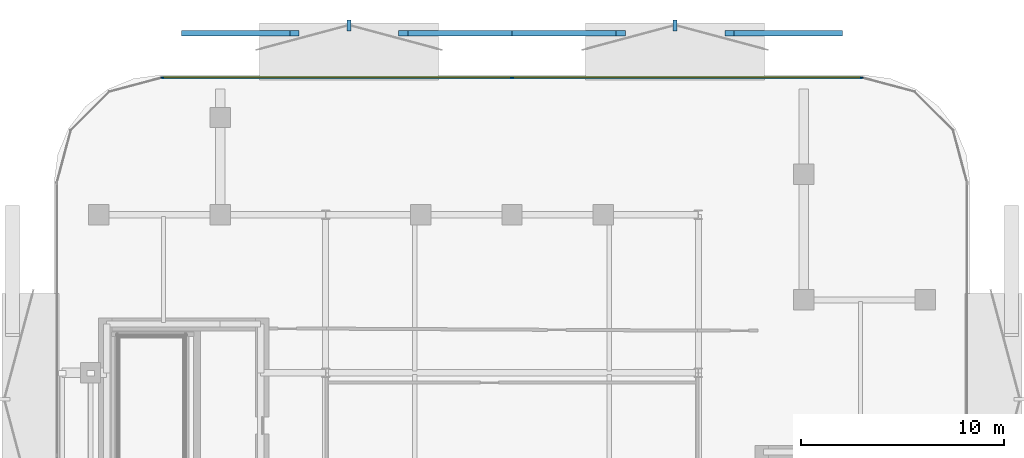
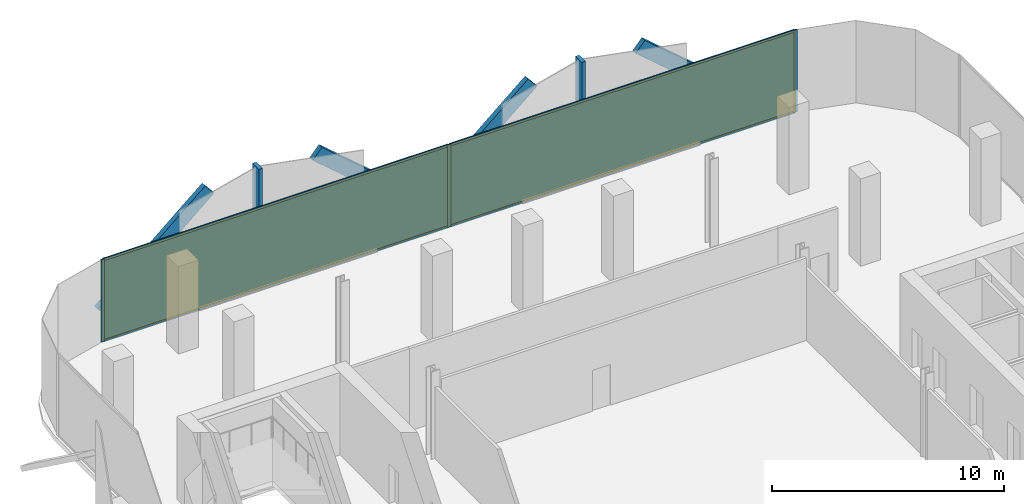
# One storey, part 9 of 14: 13 members, 2 plates, 1 curtain wall.
"""IFC4 building model written with IfcOpenShell, lengths in metres."""

from ifc_helpers import new_model, si_unit, direction, frame, frame_2d, origin, origin_2d, place, context, subcontext, project, spatial, rectangle, extrude, material, layer, layer_set, material_profile, profile_set, type_object, element, aggregate, save


model = new_model("IFC4")

# Units and contexts
model_context = context("Model", 3, precision=1e-05, world=origin(), true_north=direction((0.0, 1.0)))
body_context = subcontext(model_context, "Body", "Model", "MODEL_VIEW")
ifc_project = project(units=[si_unit("LENGTHUNIT", "METRE"), si_unit("AREAUNIT", "SQUARE_METRE"), si_unit("VOLUMEUNIT", "CUBIC_METRE"), si_unit("PLANEANGLEUNIT", "RADIAN"), si_unit("MASSUNIT", "GRAM", prefix="KILO")], contexts=[model_context])

# Member
ifc_material_1 = material(Name="Anodised Bronze Aluminium 6063-T6", Category="aluminium")
ifc_material_profile_1 = material_profile(ifc_material_1, rectangle(XDim=0.260009765625, YDim=0.699951171875, at=origin_2d()))
ifc_profile_set_1 = profile_set([ifc_material_profile_1], Name="Anodised Bronze Aluminium 6063-T6")
member_type_1 = type_object("IfcMemberType", Name="Bronze Diamond Solar-Screen Lattice Rib BDL-700", PredefinedType="MULLION", material=ifc_profile_set_1)
site_placement = place(None, origin())
building_placement = place(site_placement, origin())
storey_placement = place(building_placement, frame((0.0, 0.0, 160.39990234375)))
member_1_placement = place(storey_placement, frame((-16.0908203125, 27.550048828125, -0.1298828125), z_axis=(0.759061454004, 0.0, 0.651018977484), x_axis=(0.0, 1.0, 0.0)))
member_1 = element("IfcMember", 1, at=member_1_placement, type_object=member_type_1, Name="L36 Bronze Diamond Solar Screen Lattice Rib 229A", PredefinedType="MULLION", context=body_context, shape_type="SweptSolid", body=[
    extrude(rectangle(XDim=0.260009765625, YDim=0.699951171875, at=origin_2d()), origin(), (0.0, 0.0, 1.0), 7.06591796875),
])

member_2_placement = place(storey_placement, frame((0.0, 27.550048828125, -0.1298828125), z_axis=(-0.759061454004, 0.0, 0.651018977484), x_axis=(0.0, -1.0, 0.0)))
member_2 = element("IfcMember", 2, at=member_2_placement, type_object=member_type_1, Name="L36 Bronze Diamond Solar Screen Lattice Rib 229B", PredefinedType="MULLION", context=body_context, shape_type="SweptSolid", body=[
    extrude(rectangle(XDim=0.260009765625, YDim=0.699951171875, at=origin_2d()), origin(), (0.0, 0.0, 1.0), 7.06591796875),
])

member_3_placement = place(storey_placement, frame((0.0, 27.550048828125, -0.1298828125), z_axis=(0.759061454004, 0.0, 0.651018977484), x_axis=(0.0, 1.0, 0.0)))
member_3 = element("IfcMember", 3, at=member_3_placement, type_object=member_type_1, Name="L36 Bronze Diamond Solar Screen Lattice Rib 230A", PredefinedType="MULLION", context=body_context, shape_type="SweptSolid", body=[
    extrude(rectangle(XDim=0.260009765625, YDim=0.699951171875, at=origin_2d()), origin(), (0.0, 0.0, 1.0), 7.06591796875),
])

member_4_placement = place(storey_placement, frame((16.0908203125, 27.550048828125, -0.1298828125), z_axis=(-0.759061454004, 0.0, 0.651018977484), x_axis=(0.0, -1.0, 0.0)))
member_4 = element("IfcMember", 4, at=member_4_placement, type_object=member_type_1, Name="L36 Bronze Diamond Solar Screen Lattice Rib 230B", PredefinedType="MULLION", context=body_context, shape_type="SweptSolid", body=[
    extrude(rectangle(XDim=0.260009765625, YDim=0.699951171875, at=origin_2d()), origin(), (0.0, 0.0, 1.0), 7.06591796875),
])

ifc_material_2 = material(Name="Anodised Bronze Aluminium 6063-T6", Category="aluminium")
ifc_material_profile_2 = material_profile(ifc_material_2, rectangle(XDim=0.179931640625, YDim=0.5400390625, at=origin_2d()))
ifc_profile_set_2 = profile_set([ifc_material_profile_2], Name="Anodised Bronze Aluminium 6063-T6")
member_type_2 = type_object("IfcMemberType", Name="Bronze Solar-Screen Vertical Fold Fin BSF-540", PredefinedType="MULLION", material=ifc_profile_set_2)
member_5_placement = place(storey_placement, frame((-8.04541015625, 27.93994140625, -0.1298828125), z_axis=(0.0, 0.0, 1.0), x_axis=(1.0, 0.0, 0.0)))
member_5 = element("IfcMember", 5, at=member_5_placement, type_object=member_type_2, Name="L36 Bronze Solar Screen Vertical Fin 229", PredefinedType="MULLION", context=body_context, shape_type="SweptSolid", body=[
    extrude(rectangle(XDim=0.179931640625, YDim=0.5400390625, at=origin_2d()), origin(), (0.0, 0.0, 1.0), 4.60009765625),
])

member_6_placement = place(storey_placement, frame((8.04541015625, 27.93994140625, -0.1298828125), z_axis=(0.0, 0.0, 1.0), x_axis=(1.0, 0.0, 0.0)))
member_6 = element("IfcMember", 6, at=member_6_placement, type_object=member_type_2, Name="L36 Bronze Solar Screen Vertical Fin 230", PredefinedType="MULLION", context=body_context, shape_type="SweptSolid", body=[
    extrude(rectangle(XDim=0.179931640625, YDim=0.5400390625, at=origin_2d()), origin(), (0.0, 0.0, 1.0), 4.60009765625),
])

ifc_material_3 = material(Name="Anodised Bronze Aluminium 6063-T6", Category="aluminium")
ifc_material_profile_3 = material_profile(ifc_material_3, rectangle(XDim=0.06005859375, YDim=0.1650390625, at=origin_2d()))
ifc_profile_set_3 = profile_set([ifc_material_profile_3], Name="Anodised Bronze Aluminium 6063-T6")
member_type_3 = type_object("IfcMemberType", Name="CW-Z3 Mullion 60x165", PredefinedType="MULLION", material=ifc_profile_set_3)
member_7_placement = place(storey_placement, frame((-17.2607421875, 25.360107421875, 0.0), z_axis=(0.0, 0.0, 1.0), x_axis=(0.0, 1.0, 0.0)))
member_7 = element("IfcMember", 7, at=member_7_placement, type_object=member_type_3, Name="CW-Z3 mullion 1", PredefinedType="MULLION", context=body_context, shape_type="SweptSolid", body=[
    extrude(rectangle(XDim=0.06005859375, YDim=0.1650390625, at=origin_2d()), origin(), (0.0, 0.0, 1.0), 4.340087890625),
])

member_8_placement = place(storey_placement, frame((0.0, 25.360107421875, 0.0), z_axis=(0.0, 0.0, 1.0), x_axis=(0.0, 1.0, 0.0)))
member_8 = element("IfcMember", 8, at=member_8_placement, type_object=member_type_3, Name="CW-Z3 mullion 2", PredefinedType="MULLION", context=body_context, shape_type="SweptSolid", body=[
    extrude(rectangle(XDim=0.06005859375, YDim=0.1650390625, at=origin_2d()), origin(), (0.0, 0.0, 1.0), 4.340087890625),
])

member_9_placement = place(storey_placement, frame((17.2607421875, 25.360107421875, 0.0), z_axis=(0.0, 0.0, 1.0), x_axis=(0.0, 1.0, 0.0)))
member_9 = element("IfcMember", 9, at=member_9_placement, type_object=member_type_3, Name="CW-Z3 mullion 3", PredefinedType="MULLION", context=body_context, shape_type="SweptSolid", body=[
    extrude(rectangle(XDim=0.06005859375, YDim=0.1650390625, at=origin_2d()), origin(), (0.0, 0.0, 1.0), 4.340087890625),
])

ifc_material_4 = material(Name="Anodised Bronze Aluminium 6063-T6", Category="aluminium")
ifc_material_profile_4 = material_profile(ifc_material_4, rectangle(XDim=0.06005859375, YDim=0.1298828125, at=origin_2d()))
ifc_profile_set_4 = profile_set([ifc_material_profile_4], Name="Anodised Bronze Aluminium 6063-T6")
member_type_4 = type_object("IfcMemberType", Name="CW-Z3 Transom 60x130", PredefinedType="USERDEFINED", material=ifc_profile_set_4)
member_10_placement = place(storey_placement, frame((-17.230712890625, 25.360107421875, 0.030029296875), z_axis=(1.0, 0.0, 0.0), x_axis=(0.0, 1.0, 0.0)))
member_10 = element("IfcMember", 10, at=member_10_placement, type_object=member_type_4, Name="CW-Z3 transom 1.1", ObjectType="TRANSOM", PredefinedType="USERDEFINED", context=body_context, shape_type="SweptSolid", body=[
    extrude(rectangle(XDim=0.06005859375, YDim=0.1298828125, at=origin_2d()), origin(), (0.0, 0.0, 1.0), 17.20068359375),
])

member_11_placement = place(storey_placement, frame((-17.230712890625, 25.360107421875, 4.31005859375), z_axis=(1.0, 0.0, 0.0), x_axis=(0.0, 1.0, 0.0)))
member_11 = element("IfcMember", 11, at=member_11_placement, type_object=member_type_4, Name="CW-Z3 transom 1.2", ObjectType="TRANSOM", PredefinedType="USERDEFINED", context=body_context, shape_type="SweptSolid", body=[
    extrude(rectangle(XDim=0.06005859375, YDim=0.1298828125, at=origin_2d()), origin(), (0.0, 0.0, 1.0), 17.20068359375),
])

member_12_placement = place(storey_placement, frame((0.030029296875, 25.360107421875, 0.030029296875), z_axis=(1.0, 0.0, 0.0), x_axis=(0.0, 1.0, 0.0)))
member_12 = element("IfcMember", 12, at=member_12_placement, type_object=member_type_4, Name="CW-Z3 transom 2.1", ObjectType="TRANSOM", PredefinedType="USERDEFINED", context=body_context, shape_type="SweptSolid", body=[
    extrude(rectangle(XDim=0.06005859375, YDim=0.1298828125, at=origin_2d()), origin(), (0.0, 0.0, 1.0), 17.20068359375),
])

member_13_placement = place(storey_placement, frame((0.030029296875, 25.360107421875, 4.31005859375), z_axis=(1.0, 0.0, 0.0), x_axis=(0.0, 1.0, 0.0)))
member_13 = element("IfcMember", 13, at=member_13_placement, type_object=member_type_4, Name="CW-Z3 transom 2.2", ObjectType="TRANSOM", PredefinedType="USERDEFINED", context=body_context, shape_type="SweptSolid", body=[
    extrude(rectangle(XDim=0.06005859375, YDim=0.1298828125, at=origin_2d()), origin(), (0.0, 0.0, 1.0), 17.20068359375),
])

# Plate
ifc_material_5 = material(Name="Low-E Solar Control Laminated Glass", Category="glass")
ifc_layer_1 = layer(ifc_material_5, 0.030029296875, Name="Low-E Solar Control Laminated Glass")
ifc_layer_set_1 = layer_set([ifc_layer_1], Name="Low-E Solar Control Laminated Glass")
plate_type = type_object("IfcPlateType", Name="CW-Z3 Low-E Double Glazed Panel 30mm", PredefinedType="CURTAIN_PANEL", material=ifc_layer_set_1)
plate_1_placement = place(storey_placement, frame((-8.63037109375, 25.360107421875, 0.06005859375), z_axis=(0.0, 0.0, 1.0), x_axis=(1.0, 0.0, 0.0)))
plate_1 = element("IfcPlate", 14, at=plate_1_placement, type_object=plate_type, Name="CW-Z3 panel 1.1", PredefinedType="CURTAIN_PANEL", context=body_context, shape_type="SweptSolid", body=[
    extrude(rectangle(XDim=17.20068359375, YDim=0.030029296875, at=origin_2d()), origin(), (0.0, 0.0, 1.0), 4.219970703125),
])

plate_2_placement = place(storey_placement, frame((8.63037109375, 25.360107421875, 0.06005859375), z_axis=(0.0, 0.0, 1.0), x_axis=(1.0, 0.0, 0.0)))
plate_2 = element("IfcPlate", 15, at=plate_2_placement, type_object=plate_type, Name="CW-Z3 panel 2.1", PredefinedType="CURTAIN_PANEL", context=body_context, shape_type="SweptSolid", body=[
    extrude(rectangle(XDim=17.20068359375, YDim=0.030029296875, at=origin_2d()), origin(), (0.0, 0.0, 1.0), 4.219970703125),
])

# Site, building, storey
site = spatial("IfcSite", under=ifc_project, at=site_placement, CompositionType="ELEMENT")
building = spatial("IfcBuilding", under=site, at=building_placement, Name="Khairoan Windgate Tower", CompositionType="ELEMENT")
storey = spatial("IfcBuildingStorey", under=building, at=storey_placement, Name="L36", CompositionType="ELEMENT", Elevation=160.39990234375)

# Curtain wall
ifc_material_6 = material(Name="Anodised Bronze Aluminium 6063-T6", Category="aluminium")
ifc_layer_2 = layer(ifc_material_6, 0.1650390625, Name="Anodised Bronze Aluminium 6063-T6")
ifc_layer_set_2 = layer_set([ifc_layer_2], Name="Anodised Bronze Aluminium 6063-T6")
curtain_wall_type = type_object("IfcCurtainWallType", Name="Luxury Hotel Acoustic Curtain Wall CW-Z3", PredefinedType="NOTDEFINED", material=ifc_layer_set_2)
curtain_wall_placement = place(storey_placement, frame((-17.290771484375, 25.360107421875, 0.0), z_axis=(0.0, 0.0, 1.0), x_axis=(1.0, 0.0, 0.0)))
curtain_wall = element("IfcCurtainWall", 16, at=curtain_wall_placement, inside=storey, type_object=curtain_wall_type, Name="L36 Unitised Curtain Wall 9", PredefinedType="NOTDEFINED", context=body_context, shape_type="SweptSolid", body=[
    extrude(rectangle(XDim=34.58154296875, YDim=0.010009765625, at=frame_2d((17.290771484375, 0.0))), origin(), (0.0, 0.0, 1.0), 4.340087890625),
])

aggregate(curtain_wall, [member_7, member_8, member_9, member_10, member_11, plate_1, member_12, member_13, plate_2, member_1, member_2, member_5, member_3, member_4, member_6])

save(model, "model.ifc")
